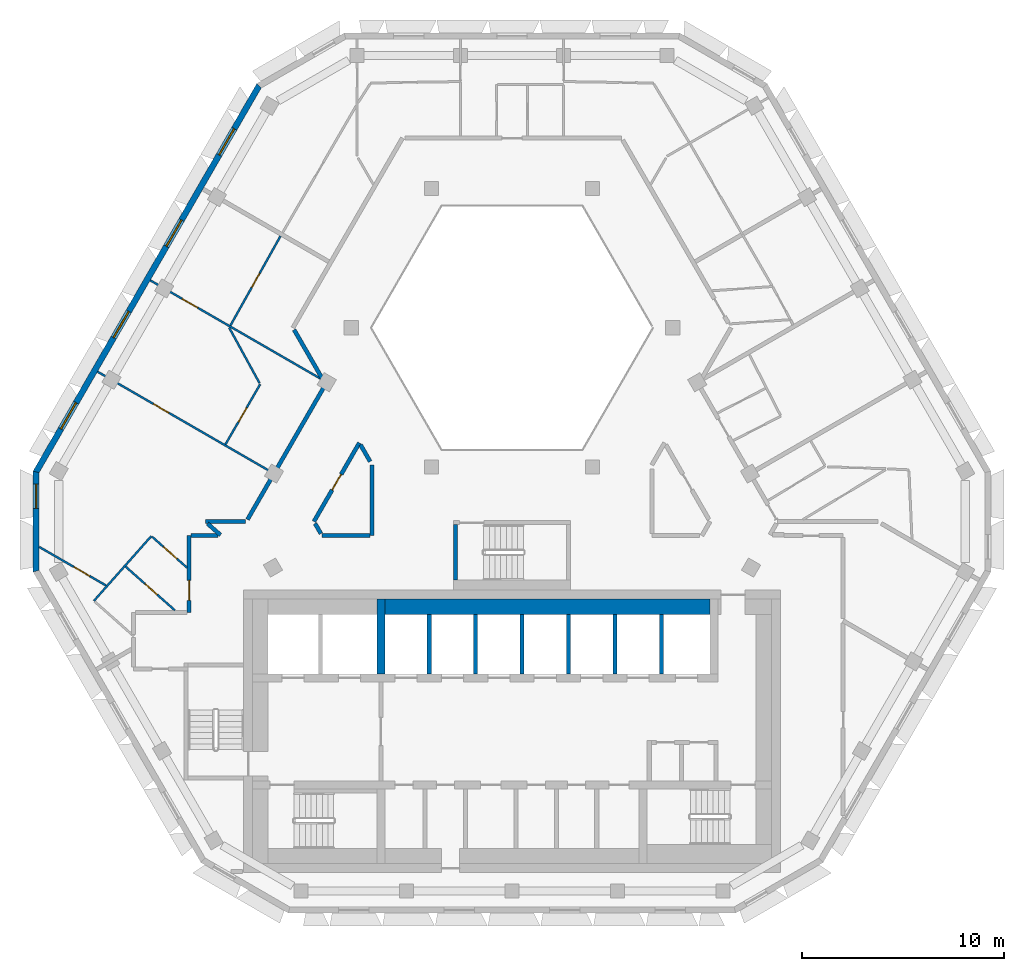
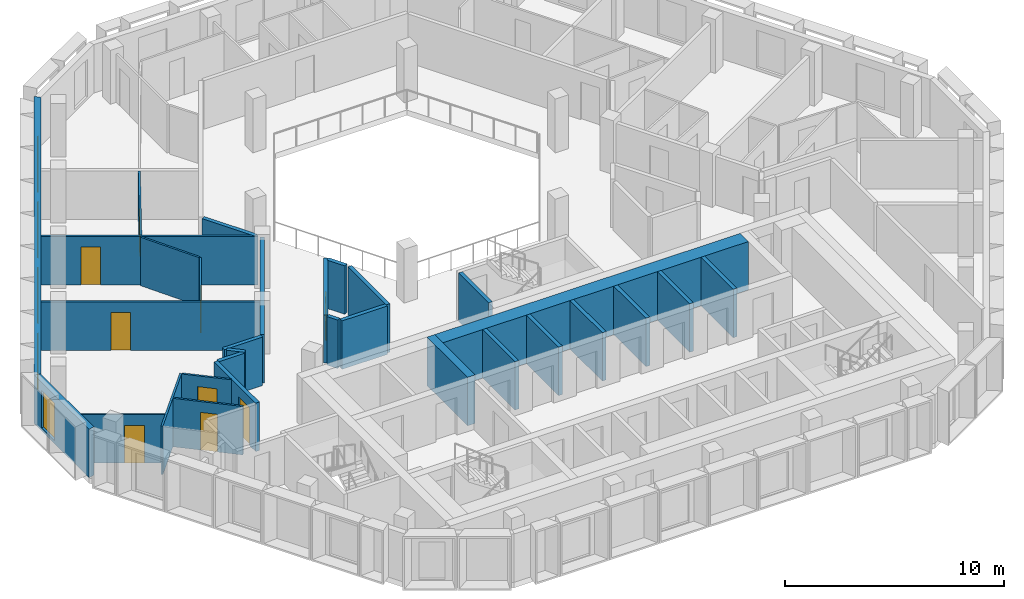
# One storey, part 4 of 14: 31 walls, 9 doors, 5 windows, 14 openings.
"""IFC4 building model written with IfcOpenShell, lengths in metres."""

from ifc_helpers import new_model, si_unit, direction, frame, frame_2d, origin, place, context, subcontext, project, spatial, polyline, rectangle, outline, extrude, material, layer, layer_set, type_object, element, fill, save


model = new_model("IFC4")

# Units and contexts
model_context = context("Model", 3, precision=1e-05, world=origin(), true_north=direction((0.0, 1.0)))
body_context = subcontext(model_context, "Body", "Model", "MODEL_VIEW")
ifc_project = project(units=[si_unit("LENGTHUNIT", "METRE"), si_unit("AREAUNIT", "SQUARE_METRE"), si_unit("VOLUMEUNIT", "CUBIC_METRE"), si_unit("PLANEANGLEUNIT", "RADIAN"), si_unit("MASSUNIT", "GRAM", prefix="KILO")], contexts=[model_context])

# Site, building, storey
site_placement = place(None, origin())
site = spatial("IfcSite", under=ifc_project, at=site_placement, CompositionType="ELEMENT")
building_placement = place(site_placement, origin())
building = spatial("IfcBuilding", under=site, at=building_placement, Name="Beryl Residences", CompositionType="ELEMENT")
storey_placement = place(building_placement, frame((0.0, 0.0, 229.800048828125)))
storey = spatial("IfcBuildingStorey", under=building, at=storey_placement, Name="L71", CompositionType="ELEMENT", Elevation=229.800048828125)

# Wall, openings, windows
ifc_material_1 = material(Name="Composite metal panel with mineral wool insulation")
ifc_layer_1 = layer(ifc_material_1, 0.300048828125)
ifc_layer_set_1 = layer_set([ifc_layer_1], Name="ES1 pale metal composite panel wall 300 mm")
wall_type_1 = type_object("IfcWallType", Name="ES1 pale metal composite panel wall 300 mm", PredefinedType="SOLIDWALL", material=ifc_layer_set_1)
wall_1_placement = place(storey_placement, frame((-12.513916015625, 20.02490234375, 0.0), z_axis=(0.0, 0.0, 1.0), x_axis=(-0.500003656944, -0.866023292436, 0.0)))
wall_1 = element("IfcWall", 1, at=wall_1_placement, inside=storey, type_object=wall_type_1, Name="ES1 external wall L71 NW", PredefinedType="SOLIDWALL", context=body_context, shape_type="SweptSolid", body=[
    extrude(outline(polyline([(0.0, -0.14990234375), (22.170166015625, -0.14990234375), (22.08984375, 0.14990234375), (0.080322265625, 0.14990234375), (0.0, -0.14990234375)])), origin(), (0.0, 0.0, 1.0), 2.699951171875),
])
opening_1_placement = place(wall_1_placement, frame((2.4970703125, 0.0, 0.14990234375)))
opening_1 = element("IfcOpeningElement", 2, at=opening_1_placement, cuts=wall_1, Name="Opening W1", PredefinedType="OPENING", context=body_context, shape_type="SweptSolid", body=[
    extrude(rectangle(XDim=1.5, YDim=2.10009765625, at=frame_2d((0.75, 1.050048828125))), frame((0.0, 0.159912109375, 0.0), z_axis=(0.0, -1.0, 0.0), x_axis=(1.0, 0.0, 0.0)), (0.0, 0.0, 1.0), 0.320068359375),
])
opening_2_placement = place(wall_1_placement, frame((7.721923828125, 0.0, 0.14990234375)))
opening_2 = element("IfcOpeningElement", 3, at=opening_2_placement, cuts=wall_1, Name="Opening W1", PredefinedType="OPENING", context=body_context, shape_type="SweptSolid", body=[
    extrude(rectangle(XDim=1.5, YDim=2.10009765625, at=frame_2d((0.75, 1.050048828125))), frame((0.0, 0.159912109375, 0.0), z_axis=(0.0, -1.0, 0.0), x_axis=(1.0, 0.0, 0.0)), (0.0, 0.0, 1.0), 0.320068359375),
])
opening_3_placement = place(wall_1_placement, frame((12.947998046875, 0.0, 0.14990234375)))
opening_3 = element("IfcOpeningElement", 4, at=opening_3_placement, cuts=wall_1, Name="Opening W1", PredefinedType="OPENING", context=body_context, shape_type="SweptSolid", body=[
    extrude(rectangle(XDim=1.5, YDim=2.10009765625, at=frame_2d((0.75, 1.050048828125))), frame((0.0, 0.159912109375, 0.0), z_axis=(0.0, -1.0, 0.0), x_axis=(1.0, 0.0, 0.0)), (0.0, 0.0, 1.0), 0.320068359375),
])
opening_4_placement = place(wall_1_placement, frame((18.173095703125, 0.0, 0.14990234375)))
opening_4 = element("IfcOpeningElement", 5, at=opening_4_placement, cuts=wall_1, Name="Opening W1", PredefinedType="OPENING", context=body_context, shape_type="SweptSolid", body=[
    extrude(rectangle(XDim=1.5, YDim=2.10009765625, at=frame_2d((0.75, 1.050048828125))), frame((0.0, 0.159912109375, 0.0), z_axis=(0.0, -1.0, 0.0), x_axis=(1.0, 0.0, 0.0)), (0.0, 0.0, 1.0), 0.320068359375),
])
ifc_material_2 = material(Name="Aluminium and clear glass", Category="aluminium")
window_type_1 = type_object("IfcWindowType", Name="W1 cell window 1500 x 2100 mm", PartitioningType="SINGLE_PANEL", PredefinedType="WINDOW", material=ifc_material_2)
window_1_placement = place(opening_1_placement, origin())
window_1 = element("IfcWindow", 6, at=window_1_placement, inside=storey, type_object=window_type_1, Name="W1 window L71 NW 2", OverallHeight=2.10009765625, OverallWidth=1.5, PartitioningType="SINGLE_PANEL", PredefinedType="WINDOW", context=body_context, shape_type="SweptSolid", body=[
    extrude(rectangle(XDim=1.5, YDim=2.10009765625, at=frame_2d((0.75, 1.050048828125))), frame((0.0, 0.030029296875, 0.0), z_axis=(0.0, -1.0, 0.0), x_axis=(1.0, 0.0, 0.0)), (0.0, 0.0, 1.0), 0.06005859375),
])
fill(opening_1, window_1)
window_2_placement = place(opening_2_placement, origin())
window_2 = element("IfcWindow", 7, at=window_2_placement, inside=storey, type_object=window_type_1, Name="W1 window L71 NW 4", OverallHeight=2.10009765625, OverallWidth=1.5, PartitioningType="SINGLE_PANEL", PredefinedType="WINDOW", context=body_context, shape_type="SweptSolid", body=[
    extrude(rectangle(XDim=1.5, YDim=2.10009765625, at=frame_2d((0.75, 1.050048828125))), frame((0.0, 0.030029296875, 0.0), z_axis=(0.0, -1.0, 0.0), x_axis=(1.0, 0.0, 0.0)), (0.0, 0.0, 1.0), 0.06005859375),
])
fill(opening_2, window_2)
window_3_placement = place(opening_3_placement, origin())
window_3 = element("IfcWindow", 8, at=window_3_placement, inside=storey, type_object=window_type_1, Name="W1 window L71 NW 6", OverallHeight=2.10009765625, OverallWidth=1.5, PartitioningType="SINGLE_PANEL", PredefinedType="WINDOW", context=body_context, shape_type="SweptSolid", body=[
    extrude(rectangle(XDim=1.5, YDim=2.10009765625, at=frame_2d((0.75, 1.050048828125))), frame((0.0, 0.030029296875, 0.0), z_axis=(0.0, -1.0, 0.0), x_axis=(1.0, 0.0, 0.0)), (0.0, 0.0, 1.0), 0.06005859375),
])
fill(opening_3, window_3)
window_4_placement = place(opening_4_placement, origin())
window_4 = element("IfcWindow", 9, at=window_4_placement, inside=storey, type_object=window_type_1, Name="W1 window L71 NW 8", OverallHeight=2.10009765625, OverallWidth=1.5, PartitioningType="SINGLE_PANEL", PredefinedType="WINDOW", context=body_context, shape_type="SweptSolid", body=[
    extrude(rectangle(XDim=1.5, YDim=2.10009765625, at=frame_2d((0.75, 1.050048828125))), frame((0.0, 0.030029296875, 0.0), z_axis=(0.0, -1.0, 0.0), x_axis=(1.0, 0.0, 0.0)), (0.0, 0.0, 1.0), 0.06005859375),
])
fill(opening_4, window_4)

# Wall, opening, window
wall_2_placement = place(storey_placement, frame((-23.5791015625, 0.89990234375, 0.0), z_axis=(0.0, 0.0, 1.0), x_axis=(0.0, -1.0, 0.0)))
wall_2 = element("IfcWall", 10, at=wall_2_placement, inside=storey, type_object=wall_type_1, Name="ES1 external wall L71 NW-SW", PredefinedType="SOLIDWALL", context=body_context, shape_type="SweptSolid", body=[
    extrude(outline(polyline([(0.0, -0.14990234375), (5.0, -0.14990234375), (4.919677734375, 0.14990234375), (0.080322265625, 0.14990234375), (0.0, -0.14990234375)])), origin(), (0.0, 0.0, 1.0), 2.699951171875),
])
opening_5_placement = place(wall_2_placement, frame((0.64990234375, 0.0, 0.14990234375)))
opening_5 = element("IfcOpeningElement", 11, at=opening_5_placement, cuts=wall_2, Name="Opening W2", PredefinedType="OPENING", context=body_context, shape_type="SweptSolid", body=[
    extrude(rectangle(XDim=1.199951171875, YDim=2.10009765625, at=frame_2d((0.60009765625, 1.050048828125))), frame((0.0, 0.159912109375, 0.0), z_axis=(0.0, -1.0, 0.0), x_axis=(1.0, 0.0, 0.0)), (0.0, 0.0, 1.0), 0.320068359375),
])
ifc_material_3 = material(Name="Aluminium and clear glass", Category="aluminium")
window_type_2 = type_object("IfcWindowType", Name="W2 chamfer window 1200 x 2100 mm", PartitioningType="SINGLE_PANEL", PredefinedType="WINDOW", material=ifc_material_3)
window_5_placement = place(opening_5_placement, origin())
window_5 = element("IfcWindow", 12, at=window_5_placement, inside=storey, type_object=window_type_2, Name="W2 window L71 NW-SW 1", OverallHeight=2.10009765625, OverallWidth=1.199951171875, PartitioningType="SINGLE_PANEL", PredefinedType="WINDOW", context=body_context, shape_type="SweptSolid", body=[
    extrude(rectangle(XDim=1.199951171875, YDim=2.10009765625, at=frame_2d((0.60009765625, 1.050048828125))), frame((0.0, 0.030029296875, 0.0), z_axis=(0.0, -1.0, 0.0), x_axis=(1.0, 0.0, 0.0)), (0.0, 0.0, 1.0), 0.06005859375),
])
fill(opening_5, window_5)

# Wall
ifc_material_4 = material(Name="Gypsum board partition on steel studs", Category="steel")
ifc_layer_2 = layer(ifc_material_4, 0.10009765625)
ifc_layer_set_2 = layer_set([ifc_layer_2], Name="PT1 partition 100 mm gypsum board on steel studs")
wall_type_2 = type_object("IfcWallType", Name="PT1 partition 100 mm gypsum board on steel studs", PredefinedType="PARTITIONING", material=ifc_layer_set_2)
wall_3_placement = place(storey_placement, frame((-14.011962890625, 8.0, 0.0), z_axis=(0.0, 0.0, 1.0), x_axis=(0.480183343847, -0.877168145963, 0.0)))
element("IfcWall", 13, at=wall_3_placement, inside=storey, type_object=wall_type_2, Name="Wall PT1 L71 005", PredefinedType="PARTITIONING", context=body_context, shape_type="SweptSolid", body=[
    extrude(rectangle(XDim=3.134033203125, YDim=0.10009765625, at=frame_2d((1.56689453125, 0.0))), origin(), (0.0, 0.0, 1.0), 2.699951171875),
])

# Wall, opening, door
wall_4_placement = place(storey_placement, frame((-20.5390625, 5.824951171875, 0.0), z_axis=(0.0, 0.0, 1.0), x_axis=(0.866089650643, -0.499888704662, 0.0)))
wall_4 = element("IfcWall", 14, at=wall_4_placement, inside=storey, type_object=wall_type_2, Name="Wall PT1 L71 015", PredefinedType="PARTITIONING", context=body_context, shape_type="SweptSolid", body=[
    extrude(rectangle(XDim=10.000244140625, YDim=0.10009765625, at=frame_2d((5.0, 0.0))), origin(), (0.0, 0.0, 1.0), 2.699951171875),
])
opening_6_placement = place(wall_4_placement, frame((3.196044921875, 0.0, 0.0)))
opening_6 = element("IfcOpeningElement", 15, at=opening_6_placement, cuts=wall_4, Name="Opening D2215", PredefinedType="OPENING", context=body_context, shape_type="SweptSolid", body=[
    extrude(rectangle(XDim=0.89990234375, YDim=2.10009765625, at=frame_2d((0.449951171875, 1.050048828125))), frame((0.0, 0.06005859375, 0.0), z_axis=(0.0, -1.0, 0.0), x_axis=(1.0, 0.0, 0.0)), (0.0, 0.0, 1.0), 0.1201171875),
])
ifc_material_5 = material(Name="Timber door leaf", Category="wood")
door_type_1 = type_object("IfcDoorType", Name="D2 room door 900 x 2100 mm", OperationType="SINGLE_SWING_LEFT", PredefinedType="DOOR", material=ifc_material_5)
door_1_placement = place(opening_6_placement, origin())
door_1 = element("IfcDoor", 16, at=door_1_placement, inside=storey, type_object=door_type_1, Name="Door D2215 L71 001", OperationType="SINGLE_SWING_LEFT", OverallHeight=2.10009765625, OverallWidth=0.89990234375, PredefinedType="DOOR", context=body_context, shape_type="SweptSolid", body=[
    extrude(rectangle(XDim=0.89990234375, YDim=2.10009765625, at=frame_2d((0.449951171875, 1.050048828125))), frame((0.0, 0.02490234375, 0.0), z_axis=(0.0, -1.0, 0.0), x_axis=(1.0, 0.0, 0.0)), (0.0, 0.0, 1.0), 0.050048828125),
])
fill(opening_6, door_1)

wall_5_placement = place(storey_placement, frame((-23.428955078125, -2.85791015625, 0.0), z_axis=(0.0, 0.0, 1.0), x_axis=(0.8659754619, -0.500086491905, 0.0)))
wall_5 = element("IfcWall", 17, at=wall_5_placement, inside=storey, type_object=wall_type_2, Name="Wall PT1 L71 016", PredefinedType="PARTITIONING", context=body_context, shape_type="SweptSolid", body=[
    extrude(rectangle(XDim=3.831298828125, YDim=0.10009765625, at=frame_2d((1.91552734375, 0.0))), origin(), (0.0, 0.0, 1.0), 2.699951171875),
])
opening_7_placement = place(wall_5_placement, frame((1.990966796875, 0.0, 0.0)))
opening_7 = element("IfcOpeningElement", 18, at=opening_7_placement, cuts=wall_5, Name="Opening D2216", PredefinedType="OPENING", context=body_context, shape_type="SweptSolid", body=[
    extrude(rectangle(XDim=0.89990234375, YDim=2.10009765625, at=frame_2d((0.449951171875, 1.050048828125))), frame((0.0, 0.06005859375, 0.0), z_axis=(0.0, -1.0, 0.0), x_axis=(1.0, 0.0, 0.0)), (0.0, 0.0, 1.0), 0.1201171875),
])
door_2_placement = place(opening_7_placement, origin())
door_2 = element("IfcDoor", 19, at=door_2_placement, inside=storey, type_object=door_type_1, Name="Door D2216 L71 001", OperationType="SINGLE_SWING_RIGHT", OverallHeight=2.10009765625, OverallWidth=0.89990234375, PredefinedType="DOOR", context=body_context, shape_type="SweptSolid", body=[
    extrude(rectangle(XDim=0.89990234375, YDim=2.10009765625, at=frame_2d((0.449951171875, 1.050048828125))), frame((0.0, 0.02490234375, 0.0), z_axis=(0.0, -1.0, 0.0), x_axis=(1.0, 0.0, 0.0)), (0.0, 0.0, 1.0), 0.050048828125),
])
fill(opening_7, door_2)

wall_6_placement = place(storey_placement, frame((-17.926025390625, 10.35009765625, 0.0), z_axis=(0.0, 0.0, 1.0), x_axis=(0.866018411306, -0.500012111133, 0.0)))
wall_6 = element("IfcWall", 20, at=wall_6_placement, inside=storey, type_object=wall_type_2, Name="Wall PT1 L71 017", PredefinedType="PARTITIONING", context=body_context, shape_type="SweptSolid", body=[
    extrude(rectangle(XDim=9.898193359375, YDim=0.10009765625, at=frame_2d((4.94921875, 0.0))), origin(), (0.0, 0.0, 1.0), 2.699951171875),
])
opening_8_placement = place(wall_6_placement, frame((1.830078125, 0.0, 0.0)))
opening_8 = element("IfcOpeningElement", 21, at=opening_8_placement, cuts=wall_6, Name="Opening D2217", PredefinedType="OPENING", context=body_context, shape_type="SweptSolid", body=[
    extrude(rectangle(XDim=0.89990234375, YDim=2.10009765625, at=frame_2d((0.449951171875, 1.050048828125))), frame((0.0, 0.06005859375, 0.0), z_axis=(0.0, -1.0, 0.0), x_axis=(1.0, 0.0, 0.0)), (0.0, 0.0, 1.0), 0.1201171875),
])
door_3_placement = place(opening_8_placement, origin())
door_3 = element("IfcDoor", 22, at=door_3_placement, inside=storey, type_object=door_type_1, Name="Door D2217 L71 001", OperationType="SINGLE_SWING_LEFT", OverallHeight=2.10009765625, OverallWidth=0.89990234375, PredefinedType="DOOR", context=body_context, shape_type="SweptSolid", body=[
    extrude(rectangle(XDim=0.89990234375, YDim=2.10009765625, at=frame_2d((0.449951171875, 1.050048828125))), frame((0.0, 0.02490234375, 0.0), z_axis=(0.0, -1.0, 0.0), x_axis=(1.0, 0.0, 0.0)), (0.0, 0.0, 1.0), 0.050048828125),
])
fill(opening_8, door_3)

wall_7_placement = place(storey_placement, frame((-17.8330078125, -2.35498046875, 0.0), z_axis=(0.0, 0.0, 1.0), x_axis=(0.748577710953, -0.663047065196, 0.0)))
wall_7 = element("IfcWall", 23, at=wall_7_placement, inside=storey, type_object=wall_type_2, Name="Wall PT1 L71 018", PredefinedType="PARTITIONING", context=body_context, shape_type="SweptSolid", body=[
    extrude(rectangle(XDim=2.31494140625, YDim=0.10009765625, at=frame_2d((1.157470703125, 0.0))), origin(), (0.0, 0.0, 1.0), 2.699951171875),
])
opening_9_placement = place(wall_7_placement, frame((0.7490234375, 0.0, 0.0)))
opening_9 = element("IfcOpeningElement", 24, at=opening_9_placement, cuts=wall_7, Name="Opening D2214", PredefinedType="OPENING", context=body_context, shape_type="SweptSolid", body=[
    extrude(rectangle(XDim=0.89990234375, YDim=2.10009765625, at=frame_2d((0.449951171875, 1.050048828125))), frame((0.0, 0.06005859375, 0.0), z_axis=(0.0, -1.0, 0.0), x_axis=(1.0, 0.0, 0.0)), (0.0, 0.0, 1.0), 0.1201171875),
])
door_4_placement = place(opening_9_placement, origin())
door_4 = element("IfcDoor", 25, at=door_4_placement, inside=storey, type_object=door_type_1, Name="Door D2214 L71 001", OperationType="SINGLE_SWING_RIGHT", OverallHeight=2.10009765625, OverallWidth=0.89990234375, PredefinedType="DOOR", context=body_context, shape_type="SweptSolid", body=[
    extrude(rectangle(XDim=0.89990234375, YDim=2.10009765625, at=frame_2d((0.449951171875, 1.050048828125))), frame((0.0, 0.02490234375, 0.0), z_axis=(0.0, -1.0, 0.0), x_axis=(1.0, 0.0, 0.0)), (0.0, 0.0, 1.0), 0.050048828125),
])
fill(opening_9, door_4)

wall_8_placement = place(storey_placement, frame((-19.14599609375, -3.8359375, 0.0), z_axis=(0.0, 0.0, 1.0), x_axis=(0.748267567437, -0.663397051186, 0.0)))
wall_8 = element("IfcWall", 26, at=wall_8_placement, inside=storey, type_object=wall_type_2, Name="Wall PT1 L71 019", PredefinedType="PARTITIONING", context=body_context, shape_type="SweptSolid", body=[
    extrude(rectangle(XDim=3.26220703125, YDim=0.10009765625, at=frame_2d((1.631103515625, 0.0))), origin(), (0.0, 0.0, 1.0), 2.699951171875),
])
opening_10_placement = place(wall_8_placement, frame((1.281982421875, 0.0, 0.0)))
opening_10 = element("IfcOpeningElement", 27, at=opening_10_placement, cuts=wall_8, Name="Opening D2213", PredefinedType="OPENING", context=body_context, shape_type="SweptSolid", body=[
    extrude(rectangle(XDim=0.800048828125, YDim=2.10009765625, at=frame_2d((0.39990234375, 1.050048828125))), frame((0.0, 0.06005859375, 0.0), z_axis=(0.0, -1.0, 0.0), x_axis=(1.0, 0.0, 0.0)), (0.0, 0.0, 1.0), 0.1201171875),
])
ifc_material_6 = material(Name="Timber door leaf", Category="wood")
door_type_2 = type_object("IfcDoorType", Name="D3 bathroom door 800 x 2100 mm", OperationType="SINGLE_SWING_LEFT", PredefinedType="DOOR", material=ifc_material_6)
door_5_placement = place(opening_10_placement, origin())
door_5 = element("IfcDoor", 28, at=door_5_placement, inside=storey, type_object=door_type_2, Name="Door D2213 L71 001", OperationType="SINGLE_SWING_LEFT", OverallHeight=2.10009765625, OverallWidth=0.800048828125, PredefinedType="DOOR", context=body_context, shape_type="SweptSolid", body=[
    extrude(rectangle(XDim=0.800048828125, YDim=2.10009765625, at=frame_2d((0.39990234375, 1.050048828125))), frame((0.0, 0.02490234375, 0.0), z_axis=(0.0, -1.0, 0.0), x_axis=(1.0, 0.0, 0.0)), (0.0, 0.0, 1.0), 0.050048828125),
])
fill(opening_10, door_5)

wall_9_placement = place(storey_placement, frame((-14.197998046875, 2.221923828125, 0.0), z_axis=(0.0, 0.0, 1.0), x_axis=(0.500042121486, 0.866001083567, 0.0)))
wall_9 = element("IfcWall", 29, at=wall_9_placement, inside=storey, type_object=wall_type_2, Name="Wall PT1 L71 023", PredefinedType="PARTITIONING", context=body_context, shape_type="SweptSolid", body=[
    extrude(rectangle(XDim=3.437744140625, YDim=0.10009765625, at=frame_2d((1.71875, 0.0))), origin(), (0.0, 0.0, 1.0), 2.699951171875),
])
opening_11_placement = place(wall_9_placement, frame((1.2939453125, 0.0, 0.0)))
opening_11 = element("IfcOpeningElement", 30, at=opening_11_placement, cuts=wall_9, Name="Opening D2219", PredefinedType="OPENING", context=body_context, shape_type="SweptSolid", body=[
    extrude(rectangle(XDim=0.800048828125, YDim=2.10009765625, at=frame_2d((0.39990234375, 1.050048828125))), frame((0.0, 0.06005859375, 0.0), z_axis=(0.0, -1.0, 0.0), x_axis=(1.0, 0.0, 0.0)), (0.0, 0.0, 1.0), 0.1201171875),
])
door_6_placement = place(opening_11_placement, origin())
door_6 = element("IfcDoor", 31, at=door_6_placement, inside=storey, type_object=door_type_2, Name="Door D2219 L71 001", OperationType="SINGLE_SWING_LEFT", OverallHeight=2.10009765625, OverallWidth=0.800048828125, PredefinedType="DOOR", context=body_context, shape_type="SweptSolid", body=[
    extrude(rectangle(XDim=0.800048828125, YDim=2.10009765625, at=frame_2d((0.39990234375, 1.050048828125))), frame((0.0, 0.02490234375, 0.0), z_axis=(0.0, -1.0, 0.0), x_axis=(1.0, 0.0, 0.0)), (0.0, 0.0, 1.0), 0.050048828125),
])
fill(opening_11, door_6)

wall_10_placement = place(storey_placement, frame((-13.951904296875, 8.113037109375, 0.0), z_axis=(0.0, 0.0, 1.0), x_axis=(0.488568218554, 0.872525699231, 0.0)))
wall_10 = element("IfcWall", 32, at=wall_10_placement, inside=storey, type_object=wall_type_2, Name="Wall PT1 L71 026", PredefinedType="PARTITIONING", context=body_context, shape_type="SweptSolid", body=[
    extrude(rectangle(XDim=5.075927734375, YDim=0.10009765625, at=frame_2d((2.5380859375, 0.0))), origin(), (0.0, 0.0, 1.0), 2.699951171875),
])
opening_12_placement = place(wall_10_placement, frame((2.1630859375, 0.0, 0.0)))
opening_12 = element("IfcOpeningElement", 33, at=opening_12_placement, cuts=wall_10, Name="Opening D2218", PredefinedType="OPENING", context=body_context, shape_type="SweptSolid", body=[
    extrude(rectangle(XDim=0.800048828125, YDim=2.10009765625, at=frame_2d((0.39990234375, 1.050048828125))), frame((0.0, 0.06005859375, 0.0), z_axis=(0.0, -1.0, 0.0), x_axis=(1.0, 0.0, 0.0)), (0.0, 0.0, 1.0), 0.1201171875),
])
door_7_placement = place(opening_12_placement, origin())
door_7 = element("IfcDoor", 34, at=door_7_placement, inside=storey, type_object=door_type_2, Name="Door D2218 L71 001", OperationType="SINGLE_SWING_RIGHT", OverallHeight=2.10009765625, OverallWidth=0.800048828125, PredefinedType="DOOR", context=body_context, shape_type="SweptSolid", body=[
    extrude(rectangle(XDim=0.800048828125, YDim=2.10009765625, at=frame_2d((0.39990234375, 1.050048828125))), frame((0.0, 0.02490234375, 0.0), z_axis=(0.0, -1.0, 0.0), x_axis=(1.0, 0.0, 0.0)), (0.0, 0.0, 1.0), 0.050048828125),
])
fill(opening_12, door_7)

# Walls
wall_11_placement = place(storey_placement, frame((-20.716064453125, -5.531982421875, 0.0), z_axis=(0.0, 0.0, 1.0), x_axis=(0.663278535613, 0.748372623895, 0.0)))
element("IfcWall", 35, at=wall_11_placement, inside=storey, type_object=wall_type_2, Name="Wall PT1 L71 039", PredefinedType="PARTITIONING", context=body_context, shape_type="SweptSolid", body=[
    extrude(rectangle(XDim=4.289306640625, YDim=0.10009765625, at=frame_2d((2.14453125, 0.0))), origin(), (0.0, 0.0, 1.0), 2.699951171875),
])
ifc_material_7 = material(Name="Acoustic double stud gypsum board wall")
ifc_layer_3 = layer(ifc_material_7, 0.199951171875)
ifc_layer_set_3 = layer_set([ifc_layer_3], Name="PT3 party wall 200 mm acoustic double stud")
wall_type_3 = type_object("IfcWallType", Name="PT3 party wall 200 mm acoustic double stud", PredefinedType="PARTITIONING", material=ifc_layer_set_3)
wall_12_placement = place(storey_placement, frame((-15.0859375, -1.701904296875, 0.0), z_axis=(0.0, 0.0, 1.0), x_axis=(0.748305129876, -0.663354680846, 0.0)))
element("IfcWall", 36, at=wall_12_placement, inside=storey, type_object=wall_type_3, Name="Wall PT3 L71 004", PredefinedType="PARTITIONING", context=body_context, shape_type="SweptSolid", body=[
    extrude(rectangle(XDim=0.8564453125, YDim=0.199951171875, at=frame_2d((0.42822265625, 0.0))), origin(), (0.0, 0.0, 1.0), 2.699951171875),
])
wall_13_placement = place(storey_placement, frame((-15.197998046875, -1.60009765625, 0.0), z_axis=(0.0, 0.0, 1.0), x_axis=(1.0, 0.0, 0.0)))
element("IfcWall", 37, at=wall_13_placement, inside=storey, type_object=wall_type_3, Name="Wall PT3 L71 005", PredefinedType="PARTITIONING", context=body_context, shape_type="SweptSolid", body=[
    extrude(rectangle(XDim=2.0048828125, YDim=0.199951171875, at=frame_2d((1.00244140625, 0.0))), origin(), (0.0, 0.0, 1.0), 2.699951171875),
])
ifc_material_8 = material(Name="Double stud gypsum board wall")
ifc_layer_4 = layer(ifc_material_8, 0.199951171875)
ifc_layer_set_4 = layer_set([ifc_layer_4], Name="PT4 corridor wall 200 mm double stud")
wall_type_4 = type_object("IfcWallType", Name="PT4 corridor wall 200 mm double stud", PredefinedType="PARTITIONING", material=ifc_layer_set_4)
wall_14_placement = place(storey_placement, frame((-10.7958984375, 7.89990234375, 0.0), z_axis=(0.0, 0.0, 1.0), x_axis=(0.499674397761, -0.866213308731, 0.0)))
element("IfcWall", 38, at=wall_14_placement, inside=storey, type_object=wall_type_4, Name="Wall PT4 L71 001", PredefinedType="PARTITIONING", context=body_context, shape_type="SweptSolid", body=[
    extrude(rectangle(XDim=2.785400390625, YDim=0.199951171875, at=frame_2d((1.392578125, 0.0))), origin(), (0.0, 0.0, 1.0), 2.699951171875),
])
wall_15_placement = place(storey_placement, frame((-7.5048828125, 2.197998046875, 0.0), z_axis=(0.0, 0.0, 1.0), x_axis=(0.500409926597, -0.865788603161, 0.0)))
element("IfcWall", 39, at=wall_15_placement, inside=storey, type_object=wall_type_4, Name="Wall PT4 L71 002", PredefinedType="PARTITIONING", context=body_context, shape_type="SweptSolid", body=[
    extrude(rectangle(XDim=0.952880859375, YDim=0.199951171875, at=frame_2d((0.4765625, 0.0))), origin(), (0.0, 0.0, 1.0), 2.699951171875),
])
wall_16_placement = place(storey_placement, frame((-9.757080078125, -1.700927734375, 0.0), z_axis=(0.0, 0.0, 1.0), x_axis=(0.49996696679, -0.866044474677, 0.0)))
element("IfcWall", 40, at=wall_16_placement, inside=storey, type_object=wall_type_4, Name="Wall PT4 L71 003", PredefinedType="PARTITIONING", context=body_context, shape_type="SweptSolid", body=[
    extrude(rectangle(XDim=0.576171875, YDim=0.199951171875, at=frame_2d((0.2880859375, 0.0))), origin(), (0.0, 0.0, 1.0), 2.699951171875),
])
wall_17_placement = place(storey_placement, frame((-15.89892578125, -2.300048828125, 0.0), z_axis=(0.0, 0.0, 1.0), x_axis=(1.0, 0.0, 0.0)))
element("IfcWall", 41, at=wall_17_placement, inside=storey, type_object=wall_type_4, Name="Wall PT4 L71 013", PredefinedType="PARTITIONING", context=body_context, shape_type="SweptSolid", body=[
    extrude(rectangle(XDim=1.3369140625, YDim=0.199951171875, at=frame_2d((0.66845703125, 0.0))), origin(), (0.0, 0.0, 1.0), 2.699951171875),
])
wall_18_placement = place(storey_placement, frame((-9.409912109375, -2.300048828125, 0.0), z_axis=(0.0, 0.0, 1.0), x_axis=(1.0, 0.0, 0.0)))
element("IfcWall", 42, at=wall_18_placement, inside=storey, type_object=wall_type_4, Name="Wall PT4 L71 014", PredefinedType="PARTITIONING", context=body_context, shape_type="SweptSolid", body=[
    extrude(rectangle(XDim=2.380859375, YDim=0.199951171875, at=frame_2d((1.1904296875, 0.0))), origin(), (0.0, 0.0, 1.0), 2.699951171875),
])

# Wall, opening, door
wall_19_placement = place(storey_placement, frame((-9.81494140625, -1.60009765625, 0.0), z_axis=(0.0, 0.0, 1.0), x_axis=(0.500058909736, 0.865991389561, 0.0)))
wall_19 = element("IfcWall", 43, at=wall_19_placement, inside=storey, type_object=wall_type_4, Name="Wall PT4 L71 022", PredefinedType="PARTITIONING", context=body_context, shape_type="SweptSolid", body=[
    extrude(rectangle(XDim=4.50146484375, YDim=0.199951171875, at=frame_2d((2.250732421875, 0.0))), origin(), (0.0, 0.0, 1.0), 2.699951171875),
])
opening_13_placement = place(wall_19_placement, frame((1.801025390625, 0.0, 0.0)))
opening_13 = element("IfcOpeningElement", 44, at=opening_13_placement, cuts=wall_19, Name="Opening D2234", PredefinedType="OPENING", context=body_context, shape_type="SweptSolid", body=[
    extrude(rectangle(XDim=0.89990234375, YDim=2.10009765625, at=frame_2d((0.449951171875, 1.050048828125))), frame((0.0, 0.10986328125, 0.0), z_axis=(0.0, -1.0, 0.0), x_axis=(1.0, 0.0, 0.0)), (0.0, 0.0, 1.0), 0.219970703125),
])
door_8_placement = place(opening_13_placement, origin())
door_8 = element("IfcDoor", 45, at=door_8_placement, inside=storey, type_object=door_type_1, Name="Door D2234 L71 001", OperationType="SINGLE_SWING_RIGHT", OverallHeight=2.10009765625, OverallWidth=0.89990234375, PredefinedType="DOOR", context=body_context, shape_type="SweptSolid", body=[
    extrude(rectangle(XDim=0.89990234375, YDim=2.10009765625, at=frame_2d((0.449951171875, 1.050048828125))), frame((0.0, 0.02490234375, 0.0), z_axis=(0.0, -1.0, 0.0), x_axis=(1.0, 0.0, 0.0)), (0.0, 0.0, 1.0), 0.050048828125),
])
fill(opening_13, door_8)

# Walls
wall_20_placement = place(storey_placement, frame((-13.10595703125, -1.5, 0.0), z_axis=(0.0, 0.0, 1.0), x_axis=(0.500025705601, 0.86601056214, 0.0)))
element("IfcWall", 46, at=wall_20_placement, inside=storey, type_object=wall_type_4, Name="Wall PT4 L71 023", PredefinedType="PARTITIONING", context=body_context, shape_type="SweptSolid", body=[
    extrude(rectangle(XDim=7.7353515625, YDim=0.199951171875, at=frame_2d((3.86767578125, 0.0))), origin(), (0.0, 0.0, 1.0), 2.699951171875),
])
wall_21_placement = place(storey_placement, frame((-6.927978515625, -2.299072265625, 0.0), z_axis=(0.0, 0.0, 1.0), x_axis=(0.0, 1.0, 0.0)))
element("IfcWall", 47, at=wall_21_placement, inside=storey, type_object=wall_type_4, Name="Wall PT4 L71 026", PredefinedType="PARTITIONING", context=body_context, shape_type="SweptSolid", body=[
    extrude(rectangle(XDim=3.4990234375, YDim=0.199951171875, at=frame_2d((1.74951171875, 0.0))), origin(), (0.0, 0.0, 1.0), 2.699951171875),
])

# Wall, opening, door
wall_22_placement = place(storey_placement, frame((-16.0, -6.09912109375, 0.0), z_axis=(0.0, 0.0, 1.0), x_axis=(0.0, 1.0, 0.0)))
wall_22 = element("IfcWall", 48, at=wall_22_placement, inside=storey, type_object=wall_type_4, Name="Wall PT4 L71 027", PredefinedType="PARTITIONING", context=body_context, shape_type="SweptSolid", body=[
    extrude(rectangle(XDim=3.798095703125, YDim=0.199951171875, at=frame_2d((1.89892578125, 0.0))), origin(), (0.0, 0.0, 1.0), 2.699951171875),
])
opening_14_placement = place(wall_22_placement, frame((0.5869140625, 0.0, 0.0)))
opening_14 = element("IfcOpeningElement", 49, at=opening_14_placement, cuts=wall_22, Name="Opening D2212", PredefinedType="OPENING", context=body_context, shape_type="SweptSolid", body=[
    extrude(rectangle(XDim=1.0, YDim=2.10009765625, at=frame_2d((0.5, 1.050048828125))), frame((0.0, 0.10986328125, 0.0), z_axis=(0.0, -1.0, 0.0), x_axis=(1.0, 0.0, 0.0)), (0.0, 0.0, 1.0), 0.219970703125),
])
ifc_material_9 = material(Name="Timber door leaf", Category="wood")
door_type_3 = type_object("IfcDoorType", Name="D1 flat entrance door 1000 x 2100 mm", OperationType="SINGLE_SWING_LEFT", PredefinedType="DOOR", material=ifc_material_9)
door_9_placement = place(opening_14_placement, origin())
door_9 = element("IfcDoor", 50, at=door_9_placement, inside=storey, type_object=door_type_3, Name="Door D2212 L71 001", OperationType="SINGLE_SWING_RIGHT", OverallHeight=2.10009765625, OverallWidth=1.0, PredefinedType="DOOR", context=body_context, shape_type="SweptSolid", body=[
    extrude(rectangle(XDim=1.0, YDim=2.10009765625, at=frame_2d((0.5, 1.050048828125))), frame((0.0, 0.02490234375, 0.0), z_axis=(0.0, -1.0, 0.0), x_axis=(1.0, 0.0, 0.0)), (0.0, 0.0, 1.0), 0.050048828125),
])
fill(opening_14, door_9)

# Walls
ifc_material_10 = material(Name="Concrete C40/50", Category="concrete")
ifc_layer_5 = layer(ifc_material_10, 0.199951171875)
ifc_layer_set_5 = layer_set([ifc_layer_5], Name="PT5 stair enclosure wall 200 mm reinforced concrete C40/50")
wall_type_5 = type_object("IfcWallType", Name="PT5 stair enclosure wall 200 mm reinforced concrete C40/50", PredefinedType="SOLIDWALL", material=ifc_layer_set_5)
wall_23_placement = place(storey_placement, frame((-2.800048828125, -4.5, 0.0), z_axis=(0.0, 0.0, 1.0), x_axis=(0.0, 1.0, 0.0)))
element("IfcWall", 51, at=wall_23_placement, inside=storey, type_object=wall_type_5, Name="Wall PT5 L71 002", PredefinedType="SOLIDWALL", context=body_context, shape_type="SweptSolid", body=[
    extrude(rectangle(XDim=2.75, YDim=0.199951171875, at=frame_2d((1.375, 0.0))), origin(), (0.0, 0.0, 1.0), 2.699951171875),
])
ifc_material_11 = material(Name="Concrete C40/50", Category="concrete")
ifc_layer_6 = layer(ifc_material_11, 0.199951171875)
ifc_layer_set_6 = layer_set([ifc_layer_6], Name="PT6 lift shaft wall 200 mm reinforced concrete C40/50")
wall_type_6 = type_object("IfcWallType", Name="PT6 lift shaft wall 200 mm reinforced concrete C40/50", PredefinedType="SOLIDWALL", material=ifc_layer_set_6)
for number, where, z_axis, x_axis, name in (
    (52, (-4.10009765625, -9.14990234375, 0.0), (0.0, 0.0, 1.0), (0.0, 1.0, 0.0), "Lift shaft wall 16"),
    (53, (-1.800048828125, -9.14990234375, 0.0), (0.0, 0.0, 1.0), (0.0, 1.0, 0.0), "Lift shaft wall 19"),
    (54, (0.5, -9.14990234375, 0.0), (0.0, 0.0, 1.0), (0.0, 1.0, 0.0), "Lift shaft wall 21"),
    (55, (2.800048828125, -9.14990234375, 0.0), (0.0, 0.0, 1.0), (0.0, 1.0, 0.0), "Lift shaft wall 23"),
    (56, (5.10009765625, -9.14990234375, 0.0), (0.0, 0.0, 1.0), (0.0, 1.0, 0.0), "Lift shaft wall 25"),
    (57, (7.39990234375, -9.14990234375, 0.0), (0.0, 0.0, 1.0), (0.0, 1.0, 0.0), "Lift shaft wall 29"),
):
    element("IfcWall", number, at=place(storey_placement, frame(where, z_axis=z_axis, x_axis=x_axis)), inside=storey, type_object=wall_type_6, Name=name, PredefinedType="SOLIDWALL", context=body_context, shape_type="SweptSolid", body=[
        extrude(rectangle(XDim=2.949951171875, YDim=0.199951171875, at=frame_2d((1.47509765625, 0.0))), origin(), (0.0, 0.0, 1.0), 2.699951171875),
    ])
ifc_material_12 = material(Name="Concrete C40/50", Category="concrete")
ifc_layer_7 = layer(ifc_material_12, 0.75)
ifc_layer_set_7 = layer_set([ifc_layer_7], Name="PT6-750 lift shaft wall 750 mm")
wall_type_7 = type_object("IfcWallType", Name="PT6-750 lift shaft wall 750 mm", PredefinedType="SOLIDWALL", material=ifc_layer_set_7)
wall_24_placement = place(storey_placement, frame((-6.300048828125, -5.824951171875, 0.0), z_axis=(0.0, 0.0, 1.0), x_axis=(1.0, 0.0, 0.0)))
element("IfcWall", 58, at=wall_24_placement, inside=storey, type_object=wall_type_7, Name="Lift shaft wall 14", PredefinedType="SOLIDWALL", context=body_context, shape_type="SweptSolid", body=[
    extrude(rectangle(XDim=16.10009765625, YDim=0.75, at=frame_2d((8.050048828125, 0.0))), origin(), (0.0, 0.0, 1.0), 2.699951171875),
])
ifc_material_13 = material(Name="Concrete C50/60", Category="concrete")
ifc_layer_8 = layer(ifc_material_13, 0.39990234375)
ifc_layer_set_8 = layer_set([ifc_layer_8], Name="SW10 core internal wall 400 mm C50/60")
wall_type_8 = type_object("IfcWallType", Name="SW10 core internal wall 400 mm C50/60", PredefinedType="SHEAR", material=ifc_layer_set_8)
wall_25_placement = place(storey_placement, frame((-6.5, -9.14990234375, 0.0), z_axis=(0.0, 0.0, 1.0), x_axis=(0.0, 1.0, 0.0)))
element("IfcWall", 59, at=wall_25_placement, inside=storey, type_object=wall_type_8, Name="Core wall XN1 L71", PredefinedType="SHEAR", context=body_context, shape_type="SweptSolid", body=[
    extrude(rectangle(XDim=3.699951171875, YDim=0.39990234375, at=frame_2d((1.85009765625, 0.0))), origin(), (0.0, 0.0, 1.0), 2.699951171875),
])

save(model, "model.ifc")
